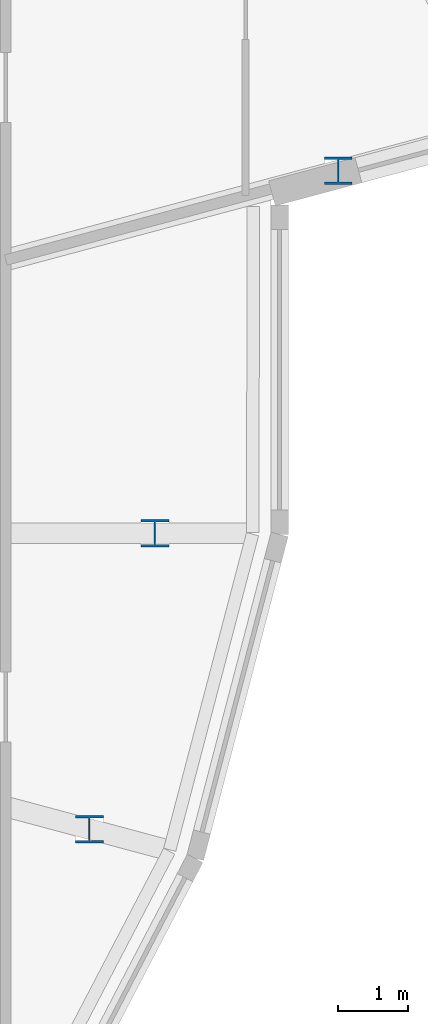
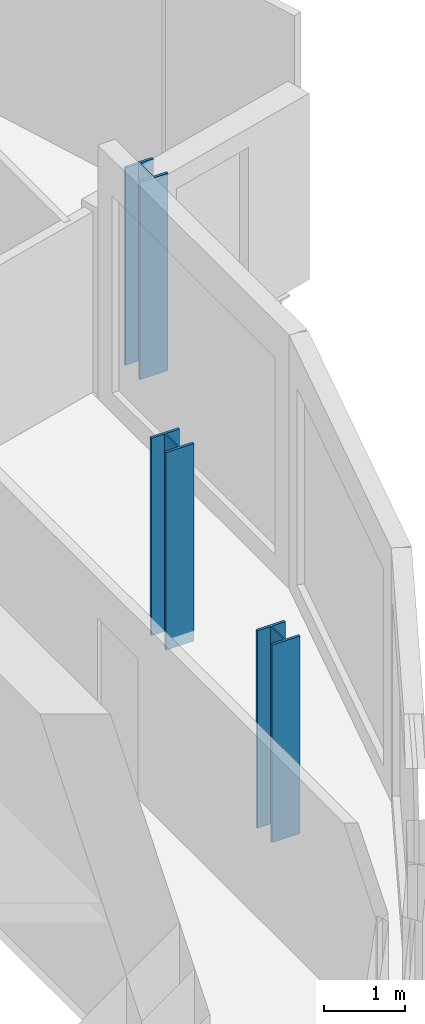
# One storey, part 2 of 39: 3 columns.
"""IFC4 building model written with IfcOpenShell, lengths in metres."""

from ifc_helpers import new_model, si_unit, direction, frame, origin, origin_2d, place, context, subcontext, project, spatial, i_section, extrude, material, material_profile, profile_set, type_object, element, save


model = new_model("IFC4")

# Units and contexts
model_context = context("Model", 3, precision=1e-05, world=origin(), true_north=direction((0.0, 1.0)))
body_context = subcontext(model_context, "Body", "Model", "MODEL_VIEW")
ifc_project = project(units=[si_unit("LENGTHUNIT", "METRE"), si_unit("AREAUNIT", "SQUARE_METRE"), si_unit("VOLUMEUNIT", "CUBIC_METRE"), si_unit("PLANEANGLEUNIT", "RADIAN"), si_unit("MASSUNIT", "GRAM", prefix="KILO")], contexts=[model_context])

# Site, building, storey
site_placement = place(None, origin())
site = spatial("IfcSite", under=ifc_project, at=site_placement, CompositionType="ELEMENT")
building_placement = place(site_placement, origin())
building = spatial("IfcBuilding", under=site, at=building_placement, Name="Rimbun Link Towers", CompositionType="ELEMENT")
storey_placement = place(building_placement, frame((0.0, 0.0, 112.0)))
storey = spatial("IfcBuildingStorey", under=building, at=storey_placement, Name="L27", CompositionType="ELEMENT", Elevation=112.0)

# Columns
ifc_material = material(Name="Steel S355J2", Category="steel")
ifc_material_profile = material_profile(ifc_material, i_section(OverallWidth=0.39892578125, OverallDepth=0.3935546875, WebThickness=0.022705078125, FlangeThickness=0.03662109375, at=origin_2d()), Name="UC 356x406x287")
ifc_profile_set = profile_set([ifc_material_profile], Name="Steel S355J2")
column_type = type_object("IfcColumnType", Name="UC 356x406x287", PredefinedType="COLUMN", material=ifc_profile_set)
for number, where, z_axis, x_axis, name in (
    (1, (47.49072265625, -4.2177734375, -0.159912109375), (0.0, 0.0, 1.0), (1.0, 0.0, 0.0), "Crease post T2 L27 20"),
    (2, (48.4248046875, 0.0, -0.159912109375), (0.0, 0.0, 1.0), (1.0, 0.0, 0.0), "Crease post T2 L27 21"),
    (3, (51.040771484375, 5.1689453125, -0.159912109375), (0.0, 0.0, 1.0), (1.0, 0.0, 0.0), "Crease post T2 L27 22"),
):
    element("IfcColumn", number, at=place(storey_placement, frame(where, z_axis=z_axis, x_axis=x_axis)), inside=storey, type_object=column_type, Name=name, PredefinedType="COLUMN", context=body_context, shape_type="SweptSolid", body=[
        extrude(i_section(OverallWidth=0.39892578125, OverallDepth=0.3935546875, WebThickness=0.022705078125, FlangeThickness=0.03662109375, at=origin_2d()), origin(), (0.0, 0.0, 1.0), 2.959228515625),
    ])

save(model, "model.ifc")
